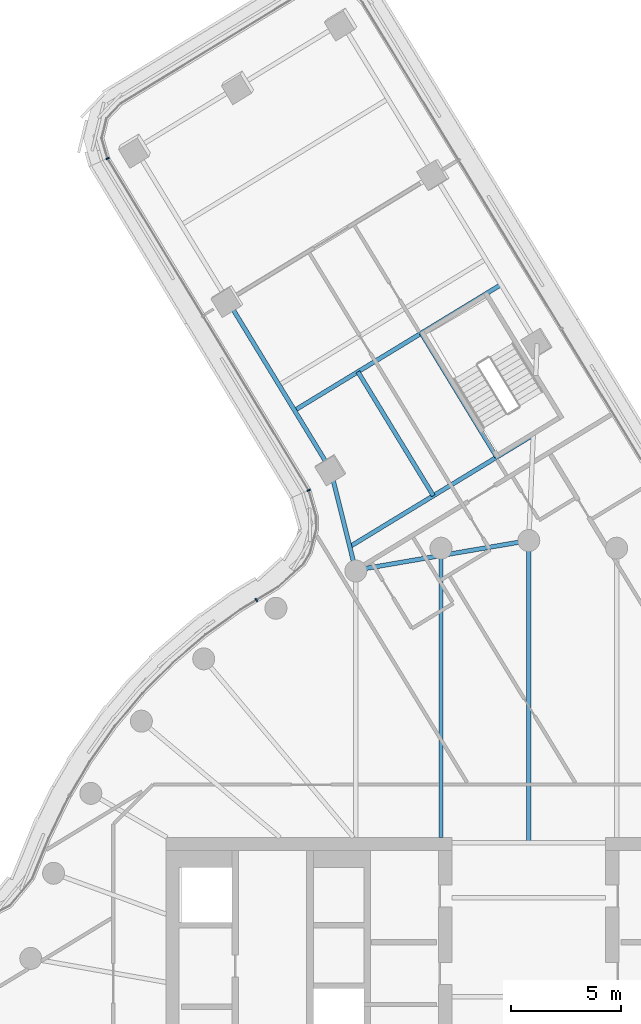
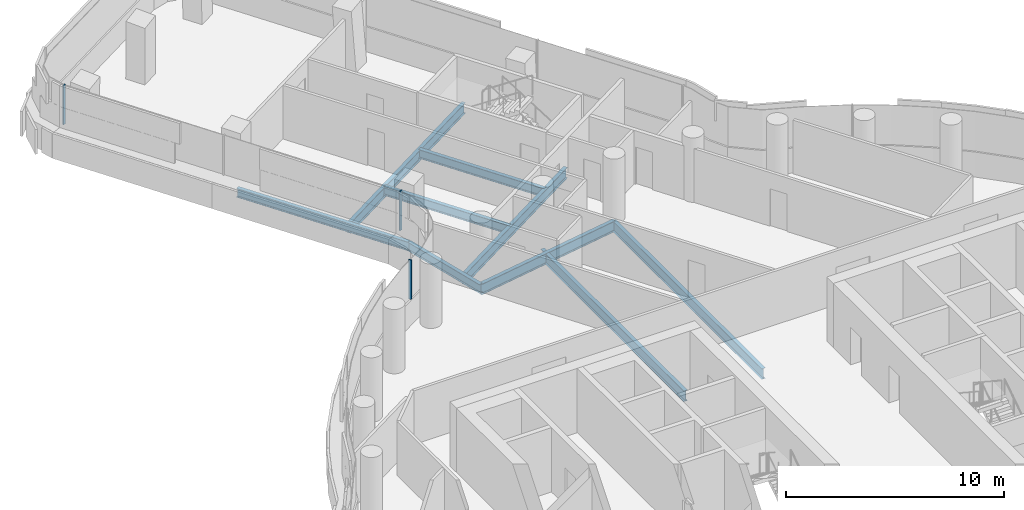
# One storey, part 14 of 35: 9 beams, 3 members, 2 elements without a shape of their own.
"""IFC4 building model written with IfcOpenShell, lengths in metres."""

from ifc_helpers import new_model, si_unit, direction, frame, origin, origin_2d, place, context, subcontext, project, spatial, rectangle, i_section, extrude, material, layer, layer_set, material_profile, profile_set, type_object, element, aggregate, save


model = new_model("IFC4")

# Units and contexts
model_context = context("Model", 3, precision=1e-05, world=origin(), true_north=direction((0.0, 1.0)))
body_context = subcontext(model_context, "Body", "Model", "MODEL_VIEW")
ifc_project = project(units=[si_unit("LENGTHUNIT", "METRE"), si_unit("AREAUNIT", "SQUARE_METRE"), si_unit("VOLUMEUNIT", "CUBIC_METRE"), si_unit("PLANEANGLEUNIT", "RADIAN"), si_unit("MASSUNIT", "GRAM", prefix="KILO")], contexts=[model_context])

# Site, building, storey
site_placement = place(None, origin())
site = spatial("IfcSite", under=ifc_project, at=site_placement, CompositionType="ELEMENT")
building_placement = place(site_placement, origin())
building = spatial("IfcBuilding", under=site, at=building_placement, Name="Tamarind Cross Interchange Tower", CompositionType="ELEMENT")
storey_placement = place(building_placement, frame((0.0, 0.0, 148.0)))
storey = spatial("IfcBuildingStorey", under=building, at=storey_placement, Name="L36", CompositionType="ELEMENT", Elevation=148.0)

# Beams
ifc_material_1 = material(Name="Steel Q355B", Category="steel")
ifc_material_profile_1 = material_profile(ifc_material_1, i_section(OverallWidth=0.198974609375, OverallDepth=0.49609375, WebThickness=0.009033203125, FlangeThickness=0.013916015625, FilletRadius=0.012939453125, at=origin_2d()), Name="HN 496x199x9x14")
ifc_profile_set_1 = profile_set([ifc_material_profile_1], Name="Steel Q355B")
beam_type_1 = type_object("IfcBeamType", Name="Composite beam HN 496x199x9x14 Q355B", PredefinedType="BEAM", material=ifc_profile_set_1)
beam_1_placement = place(storey_placement, frame((-13.6962890625, 33.914306640625, -0.387939453125), z_axis=(0.520161215535, -0.854068094389, 0.0), x_axis=(0.854068094389, 0.520161215535, 0.0)))
element("IfcBeam", 1, at=beam_1_placement, inside=storey, type_object=beam_type_1, Name="Beam N-edgeep3", PredefinedType="BEAM", context=body_context, shape_type="SweptSolid", body=[
    extrude(i_section(OverallWidth=0.198974609375, OverallDepth=0.49609375, WebThickness=0.009033203125, FlangeThickness=0.013916015625, FilletRadius=0.012939453125, at=origin_2d()), origin(), (0.0, 0.0, 1.0), 9.0),
])
beam_2_placement = place(storey_placement, frame((-9.014892578125, 26.227783203125, -0.387939453125), z_axis=(0.241496634913, -0.9704016567, 0.0), x_axis=(0.9704016567, 0.241496634913, 0.0)))
element("IfcBeam", 2, at=beam_2_placement, inside=storey, type_object=beam_type_1, Name="Beam N-linkep", PredefinedType="BEAM", context=body_context, shape_type="SweptSolid", body=[
    extrude(i_section(OverallWidth=0.198974609375, OverallDepth=0.49609375, WebThickness=0.009033203125, FlangeThickness=0.013916015625, FilletRadius=0.012939453125, at=origin_2d()), origin(), (0.0, 0.0, 1.0), 4.755615234375),
])
beam_3_placement = place(storey_placement, frame((-1.455322265625, 26.79248046875, -0.387939453125), z_axis=(-0.52017459203, 0.854059947432, 0.0), x_axis=(-0.854059947432, -0.52017459203, 0.0)))
element("IfcBeam", 3, at=beam_3_placement, inside=storey, type_object=beam_type_1, Name="Beam N-tr1", PredefinedType="BEAM", context=body_context, shape_type="SweptSolid", body=[
    extrude(i_section(OverallWidth=0.198974609375, OverallDepth=0.49609375, WebThickness=0.009033203125, FlangeThickness=0.013916015625, FilletRadius=0.012939453125, at=origin_2d()), origin(), (0.0, 0.0, 1.0), 6.599853515625),
])
beam_4_placement = place(storey_placement, frame((-4.337646484375, 25.036865234375, -0.387939453125), z_axis=(-0.520201573538, 0.854043513463, 0.0), x_axis=(-0.854043513463, -0.520201573538, 0.0)))
element("IfcBeam", 4, at=beam_4_placement, inside=storey, type_object=beam_type_1, Name="Beam N-stripp", PredefinedType="BEAM", context=body_context, shape_type="SweptSolid", body=[
    extrude(i_section(OverallWidth=0.198974609375, OverallDepth=0.49609375, WebThickness=0.009033203125, FlangeThickness=0.013916015625, FilletRadius=0.012939453125, at=origin_2d()), origin(), (0.0, 0.0, 1.0), 6.60009765625),
])
ifc_material_profile_2 = material_profile(ifc_material_1, i_section(OverallWidth=0.198974609375, OverallDepth=0.595947265625, WebThickness=0.010009765625, FlangeThickness=0.014892578125, FilletRadius=0.012939453125, at=origin_2d()), Name="HN 596x199x10x15")
ifc_profile_set_2 = profile_set([ifc_material_profile_2], Name="Steel Q355B")
beam_type_2 = type_object("IfcBeamType", Name="Composite beam HN 596x199x10x15 Q355B", PredefinedType="BEAM", material=ifc_profile_set_2)
beam_5_placement = place(storey_placement, frame((0.0, 23.0, -0.43798828125), z_axis=(0.0, -1.0, 0.0), x_axis=(1.0, 0.0, 0.0)))
element("IfcBeam", 5, at=beam_5_placement, inside=storey, type_object=beam_type_2, Name="Beam HH09", PredefinedType="BEAM", context=body_context, shape_type="SweptSolid", body=[
    extrude(i_section(OverallWidth=0.198974609375, OverallDepth=0.595947265625, WebThickness=0.010009765625, FlangeThickness=0.014892578125, FilletRadius=0.012939453125, at=origin_2d()), origin(), (0.0, 0.0, 1.0), 13.75),
])
beam_6_placement = place(storey_placement, frame((-3.993896484375, 22.650634765625, -0.43798828125), z_axis=(0.0, -1.0, 0.0), x_axis=(1.0, 0.0, 0.0)))
element("IfcBeam", 6, at=beam_6_placement, inside=storey, type_object=beam_type_2, Name="Beam HH10", PredefinedType="BEAM", context=body_context, shape_type="SweptSolid", body=[
    extrude(i_section(OverallWidth=0.198974609375, OverallDepth=0.595947265625, WebThickness=0.010009765625, FlangeThickness=0.014892578125, FilletRadius=0.012939453125, at=origin_2d()), origin(), (0.0, 0.0, 1.0), 13.150634765625),
])
ifc_material_profile_3 = material_profile(ifc_material_1, i_section(OverallWidth=0.199951171875, OverallDepth=0.60009765625, WebThickness=0.010986328125, FlangeThickness=0.01708984375, FilletRadius=0.012939453125, at=origin_2d()), Name="HN 600x200x11x17")
ifc_profile_set_3 = profile_set([ifc_material_profile_3], Name="Steel Q355B")
beam_type_3 = type_object("IfcBeamType", Name="Composite beam HN 600x200x11x17 Q355B", PredefinedType="BEAM", material=ifc_profile_set_3)
beam_7_placement = place(storey_placement, frame((0.203857421875, 27.802978515625, -0.43994140625), z_axis=(-0.854050409372, -0.520190251976, 0.0), x_axis=(0.520190251976, -0.854050409372, 0.0)))
element("IfcBeam", 7, at=beam_7_placement, inside=storey, type_object=beam_type_3, Name="Beam N-x268", PredefinedType="BEAM", context=body_context, shape_type="SweptSolid", body=[
    extrude(i_section(OverallWidth=0.199951171875, OverallDepth=0.60009765625, WebThickness=0.010986328125, FlangeThickness=0.01708984375, FilletRadius=0.012939453125, at=origin_2d()), origin(), (0.0, 0.0, 1.0), 9.77197265625),
])
beam_8_placement = place(storey_placement, frame((-1.2587890625, 34.639892578125, -0.43994140625), z_axis=(-0.854056660655, -0.520179988456, 0.0), x_axis=(0.520179988456, -0.854056660655, 0.0)))
element("IfcBeam", 8, at=beam_8_placement, inside=storey, type_object=beam_type_3, Name="Beam N-x334", PredefinedType="BEAM", context=body_context, shape_type="SweptSolid", body=[
    extrude(i_section(OverallWidth=0.199951171875, OverallDepth=0.60009765625, WebThickness=0.010986328125, FlangeThickness=0.01708984375, FilletRadius=0.012939453125, at=origin_2d()), origin(), (0.0, 0.0, 1.0), 11.0),
])
beam_9_placement = place(storey_placement, frame((0.0, 23.0, -0.43994140625), z_axis=(-0.985670334002, -0.168683113171, 0.0), x_axis=(0.168683113171, -0.985670334002, 0.0)))
element("IfcBeam", 9, at=beam_9_placement, inside=storey, type_object=beam_type_3, Name="Beam N-x258", PredefinedType="BEAM", context=body_context, shape_type="SweptSolid", body=[
    extrude(i_section(OverallWidth=0.199951171875, OverallDepth=0.60009765625, WebThickness=0.010986328125, FlangeThickness=0.01708984375, FilletRadius=0.012939453125, at=origin_2d()), origin(), (0.0, 0.0, 1.0), 7.99072265625),
])

# Curtain wall, member
ifc_material_2 = material(Name="Aluminium 6063-T6", Category="aluminium")
ifc_layer = layer(ifc_material_2, 0.159912109375)
ifc_layer_set = layer_set([ifc_layer], Name="Aluminium 6063-T6")
curtain_wall_type = type_object("IfcCurtainWallType", Name="Office curtain wall, 9.0 m bays", PredefinedType="NOTDEFINED", material=ifc_layer_set)
curtain_wall_1_placement = place(storey_placement, origin())
curtain_wall_1 = element("IfcCurtainWall", 10, at=curtain_wall_1_placement, inside=storey, type_object=curtain_wall_type, Name="CWS-L36-13", PredefinedType="NOTDEFINED")
ifc_material_profile_4 = material_profile(ifc_material_2, rectangle(XDim=0.06005859375, YDim=0.159912109375, at=origin_2d()), Name="Mullion CW1")
ifc_profile_set_4 = profile_set([ifc_material_profile_4], Name="Aluminium 6063-T6")
member_type = type_object("IfcMemberType", Name="Mullion CW1", PredefinedType="MULLION", material=ifc_profile_set_4)
member_1_placement = place(storey_placement, frame((-19.154296875, 40.376220703125, 1.39990234375), z_axis=(0.0, 0.0, 1.0), x_axis=(0.403310863205, -0.915063029316, 0.0)))
member_1 = element("IfcMember", 11, at=member_1_placement, type_object=member_type, Name="CWM-L36-13-00", PredefinedType="MULLION", context=body_context, shape_type="SweptSolid", body=[
    extrude(rectangle(XDim=0.06005859375, YDim=0.159912109375, at=origin_2d()), origin(), (0.0, 0.0, 1.0), 2.210205078125),
])
aggregate(curtain_wall_1, [member_1])

# Curtain wall, members
curtain_wall_2_placement = place(storey_placement, origin())
curtain_wall_2 = element("IfcCurtainWall", 12, at=curtain_wall_2_placement, inside=storey, type_object=curtain_wall_type, Name="CWS-L36-14", PredefinedType="NOTDEFINED")
member_2_placement = place(storey_placement, frame((-10.006103515625, 25.286376953125, 1.39990234375), z_axis=(0.0, 0.0, 1.0), x_axis=(0.399417064435, -0.916769332296, 0.0)))
member_2 = element("IfcMember", 13, at=member_2_placement, type_object=member_type, Name="CWM-L36-14-00", PredefinedType="MULLION", context=body_context, shape_type="SweptSolid", body=[
    extrude(rectangle(XDim=0.06005859375, YDim=0.159912109375, at=origin_2d()), origin(), (0.0, 0.0, 1.0), 2.210205078125),
])
member_3_placement = place(storey_placement, frame((-12.38916015625, 20.29296875, 1.39990234375), z_axis=(0.0, 0.0, 1.0), x_axis=(-0.856843065292, -0.515577308909, 0.0)))
member_3 = element("IfcMember", 14, at=member_3_placement, type_object=member_type, Name="CWM-L36-14-01", PredefinedType="MULLION", context=body_context, shape_type="SweptSolid", body=[
    extrude(rectangle(XDim=0.06005859375, YDim=0.159912109375, at=origin_2d()), origin(), (0.0, 0.0, 1.0), 2.210205078125),
])
aggregate(curtain_wall_2, [member_2, member_3])

save(model, "model.ifc")
